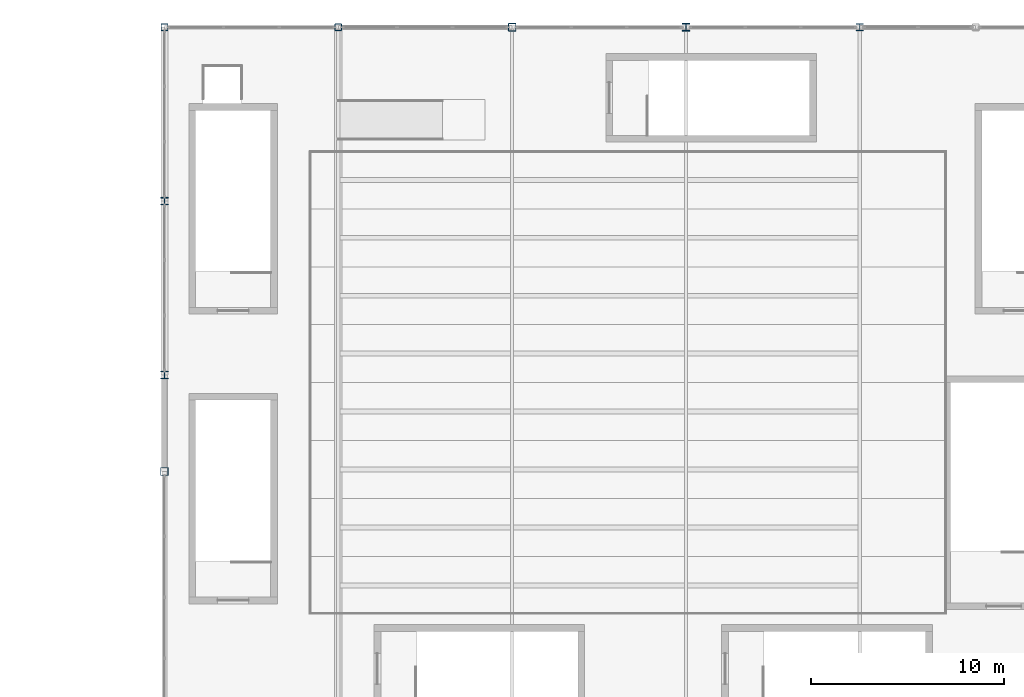
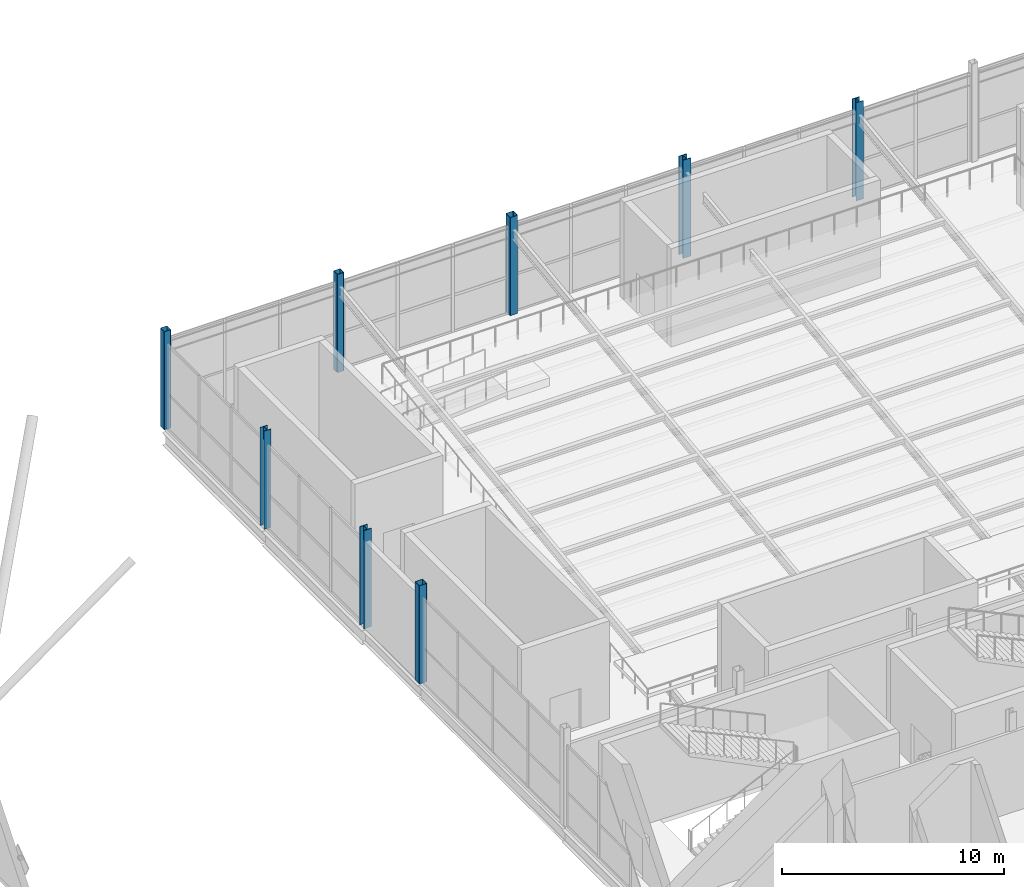
# One storey, part 19 of 119: 8 columns.
"""IFC4 building model written with IfcOpenShell, lengths in metres."""

from ifc_helpers import new_model, si_unit, direction, frame, origin, origin_2d, place, context, subcontext, project, spatial, hollow_rectangle, i_section, extrude, material, material_profile, profile_set, type_object, element, save


model = new_model("IFC4")

# Units and contexts
model_context = context("Model", 3, precision=1e-05, world=origin(), true_north=direction((0.0, 1.0)))
body_context = subcontext(model_context, "Body", "Model", "MODEL_VIEW")
ifc_project = project(units=[si_unit("LENGTHUNIT", "METRE"), si_unit("AREAUNIT", "SQUARE_METRE"), si_unit("VOLUMEUNIT", "CUBIC_METRE"), si_unit("PLANEANGLEUNIT", "RADIAN"), si_unit("MASSUNIT", "GRAM", prefix="KILO")], contexts=[model_context])

# Site, building, storey
site_placement = place(None, origin())
site = spatial("IfcSite", under=ifc_project, at=site_placement, CompositionType="ELEMENT")
building_placement = place(site_placement, origin())
building = spatial("IfcBuilding", under=site, at=building_placement, Name="Qamarlyn Nura Convention Centre", CompositionType="ELEMENT")
storey_placement = place(building_placement, frame((0.0, 0.0, 5.39990234375)))
storey = spatial("IfcBuildingStorey", under=building, at=storey_placement, Name="L01", CompositionType="ELEMENT", Elevation=5.39990234375)

# Columns
ifc_material_1 = material(Name="Steel ASTM A500 Grade C", Category="steel")
ifc_material_profile_1 = material_profile(ifc_material_1, hollow_rectangle(XDim=0.39990234375, YDim=0.39990234375, WallThickness=0.01611328125, InnerFilletRadius=0.01611328125, OuterFilletRadius=0.031982421875, at=origin_2d()), Name="HSS400X400X16")
ifc_profile_set_1 = profile_set([ifc_material_profile_1], Name="Steel ASTM A500 Grade C")
column_type_1 = type_object("IfcColumnType", Name="COL-HSS-1", PredefinedType="COLUMN", material=ifc_profile_set_1)
for number, where, z_axis, x_axis, name in (
    (1, (144.0, 103.0, 0.0), (0.0, 0.0, 1.0), (1.0, 0.0, 0.0), "L01 column 12/M"),
    (2, (162.0, 126.0, 0.0), (0.0, 0.0, 1.0), (1.0, 0.0, 0.0), "L01 column 14/Q"),
):
    element("IfcColumn", number, at=place(storey_placement, frame(where, z_axis=z_axis, x_axis=x_axis)), inside=storey, type_object=column_type_1, Name=name, PredefinedType="COLUMN", context=body_context, shape_type="SweptSolid", body=[
        extrude(hollow_rectangle(XDim=0.39990234375, YDim=0.39990234375, WallThickness=0.01611328125, InnerFilletRadius=0.01611328125, OuterFilletRadius=0.031982421875, at=origin_2d()), origin(), (0.0, 0.0, 1.0), 5.400146484375),
    ])
ifc_material_profile_2 = material_profile(ifc_material_1, hollow_rectangle(XDim=0.35009765625, YDim=0.35009765625, WallThickness=0.012451171875, InnerFilletRadius=0.012451171875, OuterFilletRadius=0.02490234375, at=origin_2d()), Name="HSS350X350X12.5")
ifc_profile_set_2 = profile_set([ifc_material_profile_2], Name="Steel ASTM A500 Grade C")
column_type_2 = type_object("IfcColumnType", Name="COL-HSS-2", PredefinedType="COLUMN", material=ifc_profile_set_2)
for number, where, z_axis, x_axis, name in (
    (3, (144.0, 126.0, 0.0), (0.0, 0.0, 1.0), (1.0, 0.0, 0.0), "L01 column 12/Q"),
    (4, (153.0, 126.0, 0.0), (0.0, 0.0, 1.0), (1.0, 0.0, 0.0), "L01 column 13/Q"),
):
    element("IfcColumn", number, at=place(storey_placement, frame(where, z_axis=z_axis, x_axis=x_axis)), inside=storey, type_object=column_type_2, Name=name, PredefinedType="COLUMN", context=body_context, shape_type="SweptSolid", body=[
        extrude(hollow_rectangle(XDim=0.35009765625, YDim=0.35009765625, WallThickness=0.012451171875, InnerFilletRadius=0.012451171875, OuterFilletRadius=0.02490234375, at=origin_2d()), origin(), (0.0, 0.0, 1.0), 5.400146484375),
    ])
ifc_material_2 = material(Name="Steel ASTM A992", Category="steel")
ifc_material_profile_3 = material_profile(ifc_material_2, i_section(OverallWidth=0.39892578125, OverallDepth=0.39306640625, WebThickness=0.022705078125, FlangeThickness=0.03662109375, FilletRadius=0.01806640625, at=origin_2d()), Name="W360X287")
ifc_profile_set_3 = profile_set([ifc_material_profile_3], Name="Steel ASTM A992")
column_type_3 = type_object("IfcColumnType", Name="COL-WING-1", PredefinedType="COLUMN", material=ifc_profile_set_3)
for number, where, z_axis, x_axis, name in (
    (5, (144.0, 108.0, 0.0), (0.0, 0.0, 1.0), (1.0, 0.0, 0.0), "L01 column 12/N"),
    (6, (171.0, 126.0, 0.0), (0.0, 0.0, 1.0), (1.0, 0.0, 0.0), "L01 column 15/Q"),
):
    element("IfcColumn", number, at=place(storey_placement, frame(where, z_axis=z_axis, x_axis=x_axis)), inside=storey, type_object=column_type_3, Name=name, PredefinedType="COLUMN", context=body_context, shape_type="SweptSolid", body=[
        extrude(i_section(OverallWidth=0.39892578125, OverallDepth=0.39306640625, WebThickness=0.022705078125, FlangeThickness=0.03662109375, FilletRadius=0.01806640625, at=origin_2d()), origin(), (0.0, 0.0, 1.0), 5.400146484375),
    ])
ifc_material_profile_4 = material_profile(ifc_material_2, i_section(OverallWidth=0.3740234375, OverallDepth=0.3720703125, WebThickness=0.016357421875, FlangeThickness=0.026123046875, FilletRadius=0.01611328125, at=origin_2d()), Name="W360X196")
ifc_profile_set_4 = profile_set([ifc_material_profile_4], Name="Steel ASTM A992")
column_type_4 = type_object("IfcColumnType", Name="COL-WING-2", PredefinedType="COLUMN", material=ifc_profile_set_4)
for number, where, z_axis, x_axis, name in (
    (7, (144.0, 117.0, 0.0), (0.0, 0.0, 1.0), (1.0, 0.0, 0.0), "L01 column 12/P"),
    (8, (180.0, 126.0, 0.0), (0.0, 0.0, 1.0), (1.0, 0.0, 0.0), "L01 column 16/Q"),
):
    element("IfcColumn", number, at=place(storey_placement, frame(where, z_axis=z_axis, x_axis=x_axis)), inside=storey, type_object=column_type_4, Name=name, PredefinedType="COLUMN", context=body_context, shape_type="SweptSolid", body=[
        extrude(i_section(OverallWidth=0.3740234375, OverallDepth=0.3720703125, WebThickness=0.016357421875, FlangeThickness=0.026123046875, FilletRadius=0.01611328125, at=origin_2d()), origin(), (0.0, 0.0, 1.0), 5.400146484375),
    ])

save(model, "model.ifc")
